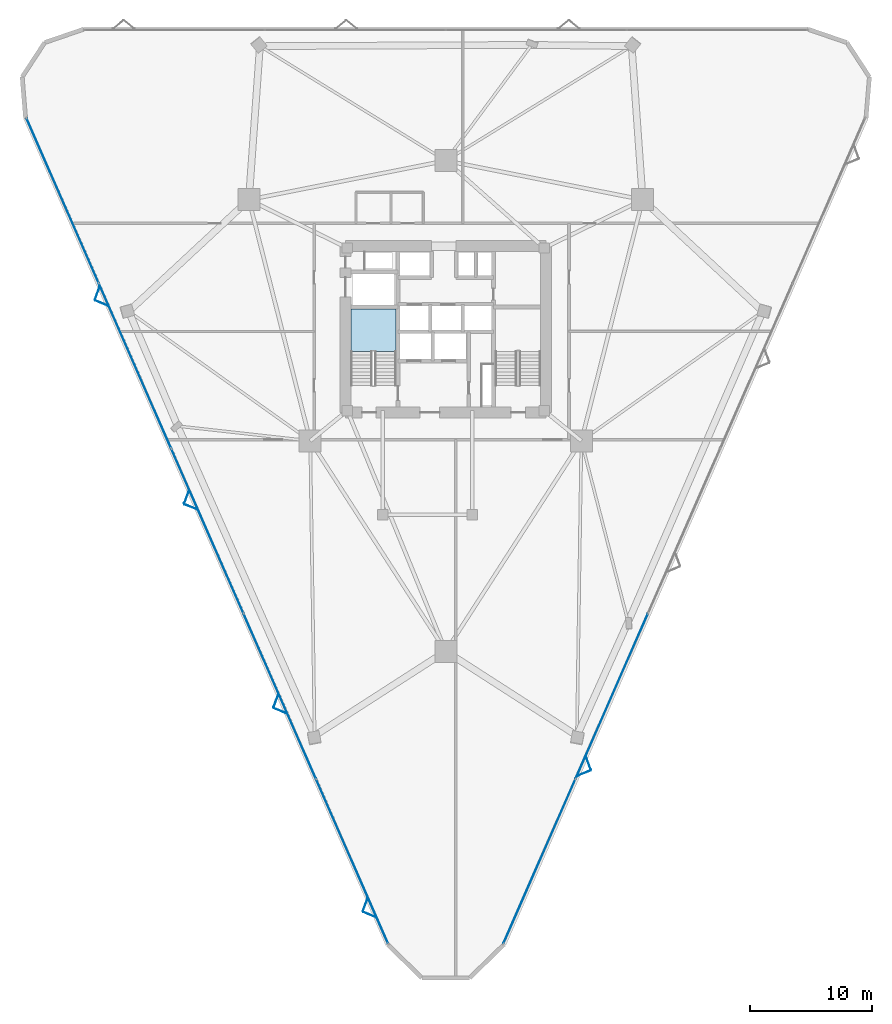
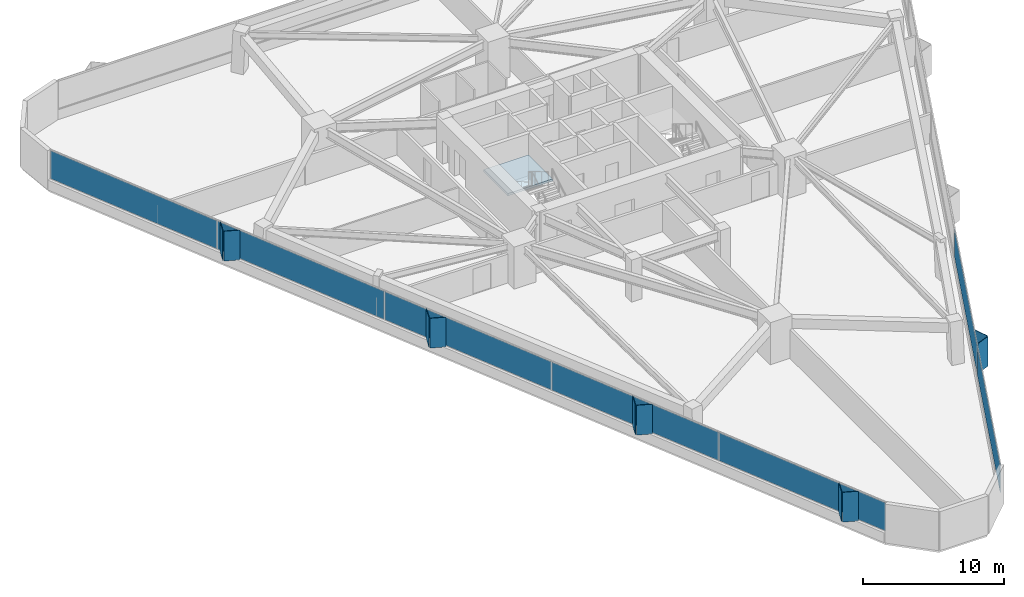
# One storey, part 14 of 20: 17 plates, 1 slab, 3 elements without a shape of their own.
"""IFC4 building model written with IfcOpenShell, lengths in metres."""

from ifc_helpers import new_model, si_unit, direction, frame, origin, origin_2d, place, context, subcontext, project, spatial, polyline, rectangle, outline, extrude, material, layer, layer_set, type_object, element, aggregate, save


model = new_model("IFC4")

# Units and contexts
model_context = context("Model", 3, precision=1e-05, world=origin(), true_north=direction((0.0, 1.0)))
body_context = subcontext(model_context, "Body", "Model", "MODEL_VIEW")
ifc_project = project(units=[si_unit("LENGTHUNIT", "METRE"), si_unit("AREAUNIT", "SQUARE_METRE"), si_unit("VOLUMEUNIT", "CUBIC_METRE"), si_unit("PLANEANGLEUNIT", "RADIAN"), si_unit("MASSUNIT", "GRAM", prefix="KILO")], contexts=[model_context])

# Site, building, storey
site_placement = place(None, origin())
site = spatial("IfcSite", under=ifc_project, at=site_placement, CompositionType="ELEMENT")
building_placement = place(site_placement, origin())
building = spatial("IfcBuilding", under=site, at=building_placement, Name="Talyreon Biosciences Tower", CompositionType="ELEMENT")
storey_placement = place(building_placement, frame((0.0, 0.0, 30.10009765625)))
storey = spatial("IfcBuildingStorey", under=building, at=storey_placement, Name="L07", CompositionType="ELEMENT", Elevation=30.10009765625)

# Curtain wall, plates
ifc_material_1 = material(Name="Thermally broken aluminium and low-E glazing", Category="aluminium")
ifc_layer_1 = layer(ifc_material_1, 0.195068359375)
ifc_layer_set_1 = layer_set([ifc_layer_1], Name="Thermally broken aluminium and low-E glazing")
curtain_wall_type = type_object("IfcCurtainWallType", Name="CurtainWall_Zone1WetLab", PredefinedType="NOTDEFINED", material=ifc_layer_set_1)
curtain_wall_1_placement = place(storey_placement, origin())
curtain_wall_1 = element("IfcCurtainWall", 1, at=curtain_wall_1_placement, inside=storey, type_object=curtain_wall_type, Name="L07 Unitised Curtain Wall FCW-L07-00", PredefinedType="NOTDEFINED")
ifc_material_2 = material(Name="Triple-silver low-E insulated glazing", Category="glass")
ifc_layer_2 = layer(ifc_material_2, 0.031982421875)
ifc_layer_set_2 = layer_set([ifc_layer_2], Name="Triple-silver low-E insulated glazing")
plate_type_1 = type_object("IfcPlateType", Name="CWGlazingPanel_32", PredefinedType="CURTAIN_PANEL", material=ifc_layer_set_2)
plate_1_placement = place(storey_placement, frame((58.3427734375, 24.494140625, 0.874755859375), z_axis=(0.0, 0.0, 1.0), x_axis=(-0.401345129249, 0.915926900592, 0.0)))
plate_1 = element("IfcPlate", 2, at=plate_1_placement, type_object=plate_type_1, Name="CW2 panel 1.1", PredefinedType="CURTAIN_PANEL", context=body_context, shape_type="SweptSolid", body=[
    extrude(rectangle(XDim=14.65869140625, YDim=0.031982421875, at=origin_2d()), origin(), (0.0, 0.0, 1.0), 2.43505859375),
])
plate_2_placement = place(storey_placement, frame((52.427001953125, 37.994873046875, 0.874755859375), z_axis=(0.0, 0.0, 1.0), x_axis=(-0.401345129249, 0.915926900592, 0.0)))
plate_2 = element("IfcPlate", 3, at=plate_2_placement, type_object=plate_type_1, Name="CW2 panel 2.1", PredefinedType="CURTAIN_PANEL", context=body_context, shape_type="SweptSolid", body=[
    extrude(rectangle(XDim=14.691162109375, YDim=0.031982421875, at=origin_2d()), origin(), (0.0, 0.0, 1.0), 2.43505859375),
])
plate_3_placement = place(storey_placement, frame((46.504638671875, 51.510498046875, 0.874755859375), z_axis=(0.0, 0.0, 1.0), x_axis=(-0.401345129249, 0.915926900592, 0.0)))
plate_3 = element("IfcPlate", 4, at=plate_3_placement, type_object=plate_type_1, Name="CW2 panel 3.1", PredefinedType="CURTAIN_PANEL", context=body_context, shape_type="SweptSolid", body=[
    extrude(rectangle(XDim=14.691162109375, YDim=0.031982421875, at=origin_2d()), origin(), (0.0, 0.0, 1.0), 2.43505859375),
])
plate_4_placement = place(storey_placement, frame((40.582275390625, 65.026123046875, 0.874755859375), z_axis=(0.0, 0.0, 1.0), x_axis=(-0.401345129249, 0.915926900592, 0.0)))
plate_4 = element("IfcPlate", 5, at=plate_4_placement, type_object=plate_type_1, Name="CW2 panel 4.1", PredefinedType="CURTAIN_PANEL", context=body_context, shape_type="SweptSolid", body=[
    extrude(rectangle(XDim=14.691162109375, YDim=0.031982421875, at=origin_2d()), origin(), (0.0, 0.0, 1.0), 2.43505859375),
])
plate_5_placement = place(storey_placement, frame((34.66650390625, 78.526611328125, 0.874755859375), z_axis=(0.0, 0.0, 1.0), x_axis=(-0.401345129249, 0.915926900592, 0.0)))
plate_5 = element("IfcPlate", 6, at=plate_5_placement, type_object=plate_type_1, Name="CW2 panel 5.1", PredefinedType="CURTAIN_PANEL", context=body_context, shape_type="SweptSolid", body=[
    extrude(rectangle(XDim=14.65869140625, YDim=0.031982421875, at=origin_2d()), origin(), (0.0, 0.0, 1.0), 2.43505859375),
])
aggregate(curtain_wall_1, [plate_1, plate_2, plate_3, plate_4, plate_5])

curtain_wall_2_placement = place(storey_placement, origin())
curtain_wall_2 = element("IfcCurtainWall", 7, at=curtain_wall_2_placement, inside=storey, type_object=curtain_wall_type, Name="L07 Unitised Curtain Wall FCW-L07-08", PredefinedType="NOTDEFINED")
plate_6_placement = place(storey_placement, frame((79.572998046875, 37.994873046875, 0.874755859375), z_axis=(0.0, 0.0, 1.0), x_axis=(-0.401345129249, -0.915926900592, 0.0)))
plate_6 = element("IfcPlate", 8, at=plate_6_placement, type_object=plate_type_1, Name="CW2 panel 4.1", PredefinedType="CURTAIN_PANEL", context=body_context, shape_type="SweptSolid", body=[
    extrude(rectangle(XDim=14.691162109375, YDim=0.031982421875, at=origin_2d()), origin(), (0.0, 0.0, 1.0), 2.43505859375),
])
plate_7_placement = place(storey_placement, frame((73.6572265625, 24.494140625, 0.874755859375), z_axis=(0.0, 0.0, 1.0), x_axis=(-0.401345129249, -0.915926900592, 0.0)))
plate_7 = element("IfcPlate", 9, at=plate_7_placement, type_object=plate_type_1, Name="CW2 panel 5.1", PredefinedType="CURTAIN_PANEL", context=body_context, shape_type="SweptSolid", body=[
    extrude(rectangle(XDim=14.65869140625, YDim=0.031982421875, at=origin_2d()), origin(), (0.0, 0.0, 1.0), 2.43505859375),
])
aggregate(curtain_wall_2, [plate_6, plate_7])

# Plates
ifc_material_3 = material(Name="Ivory GFRC sunshade panel", Category="concrete")
ifc_layer_3 = layer(ifc_material_3, 0.044921875)
ifc_layer_set_3 = layer_set([ifc_layer_3], Name="Ivory GFRC sunshade panel")
plate_type_2 = type_object("IfcPlateType", Name="FoldedVSunshade_SunFace_SUNSHADE", PredefinedType="USERDEFINED", material=ifc_layer_set_3)
for number, where, z_axis, x_axis, name in (
    (10, (59.775634765625, 20.127685546875, 0.7900390625), (0.0, 0.0, 1.0), (-0.924957850064, 0.380069698351, 0.0), "L07 Folded V-Sunshade Panel 00.01L"),
    (11, (59.41455078125, 20.9521484375, 0.7900390625), (0.0, 0.0, 1.0), (0.347557606722, 0.937658631918, 0.0), "L07 Folded V-Sunshade Panel 00.01R"),
    (12, (52.47119140625, 36.797607421875, 0.7900390625), (0.0, 0.0, 1.0), (-0.924957850064, 0.380069698351, 0.0), "L07 Folded V-Sunshade Panel 00.02L"),
    (13, (52.110107421875, 37.6220703125, 0.7900390625), (0.0, 0.0, 1.0), (0.347557606722, 0.937658631918, 0.0), "L07 Folded V-Sunshade Panel 00.02R"),
    (14, (45.166748046875, 53.467529296875, 0.7900390625), (0.0, 0.0, 1.0), (-0.924957850064, 0.380069698351, 0.0), "L07 Folded V-Sunshade Panel 00.03L"),
    (15, (44.805419921875, 54.2919921875, 0.7900390625), (0.0, 0.0, 1.0), (0.347557606722, 0.937658631918, 0.0), "L07 Folded V-Sunshade Panel 00.03R"),
    (16, (37.8623046875, 70.137451171875, 0.7900390625), (0.0, 0.0, 1.0), (-0.924957850064, 0.380069698351, 0.0), "L07 Folded V-Sunshade Panel 00.04L"),
    (17, (37.5009765625, 70.9619140625, 0.7900390625), (0.0, 0.0, 1.0), (0.347557606722, 0.937658631918, 0.0), "L07 Folded V-Sunshade Panel 00.04R"),
    (18, (77.658935546875, 32.5302734375, 0.7900390625), (0.0, 0.0, 1.0), (0.347557606722, -0.937658631918, 0.0), "L07 Folded V-Sunshade Panel 08.04L"),
    (19, (77.297607421875, 31.7060546875, 0.7900390625), (0.0, 0.0, 1.0), (-0.924957850064, -0.380069698351, 0.0), "L07 Folded V-Sunshade Panel 08.04R"),
):
    element("IfcPlate", number, at=place(storey_placement, frame(where, z_axis=z_axis, x_axis=x_axis)), inside=storey, type_object=plate_type_2, Name=name, ObjectType="SUNSHADE", PredefinedType="USERDEFINED", context=body_context, shape_type="SweptSolid", body=[
        extrude(rectangle(XDim=1.14990234375, YDim=0.044921875, at=origin_2d()), origin(), (0.0, 0.0, 1.0), 2.5849609375),
    ])

# Stair, slab
ifc_material_4 = material(Name="Concrete C40/50", Category="concrete")
stair_type = type_object("IfcStairType", Name="DoglegEscapeStair_3650", PredefinedType="HALF_TURN_STAIR", material=ifc_material_4)
stair_placement = place(storey_placement, origin())
stair = element("IfcStair", 20, at=stair_placement, inside=storey, type_object=stair_type, Name="L07 Core Escape Stair 1", PredefinedType="HALF_TURN_STAIR")
ifc_layer_4 = layer(ifc_material_4, 0.199951171875)
ifc_layer_set_4 = layer_set([ifc_layer_4], Name="Concrete C40/50")
slab_type = type_object("IfcSlabType", Name="StairLandingSlab_200", PredefinedType="LANDING", material=ifc_layer_set_4)
slab_placement = place(storey_placement, frame((0.0, 0.0, 1.625)))
slab = element("IfcSlab", 21, at=slab_placement, type_object=slab_type, Name="ST-1 landing 1", PredefinedType="LANDING", context=body_context, shape_type="SweptSolid", body=[
    extrude(outline(polyline([(61.929931640625, 66.199951171875), (61.929931640625, 69.64990234375), (58.25, 69.64990234375), (58.25, 66.199951171875), (61.929931640625, 66.199951171875)])), origin(), (0.0, 0.0, 1.0), 0.199951171875),
])
aggregate(stair, [slab])

save(model, "model.ifc")
